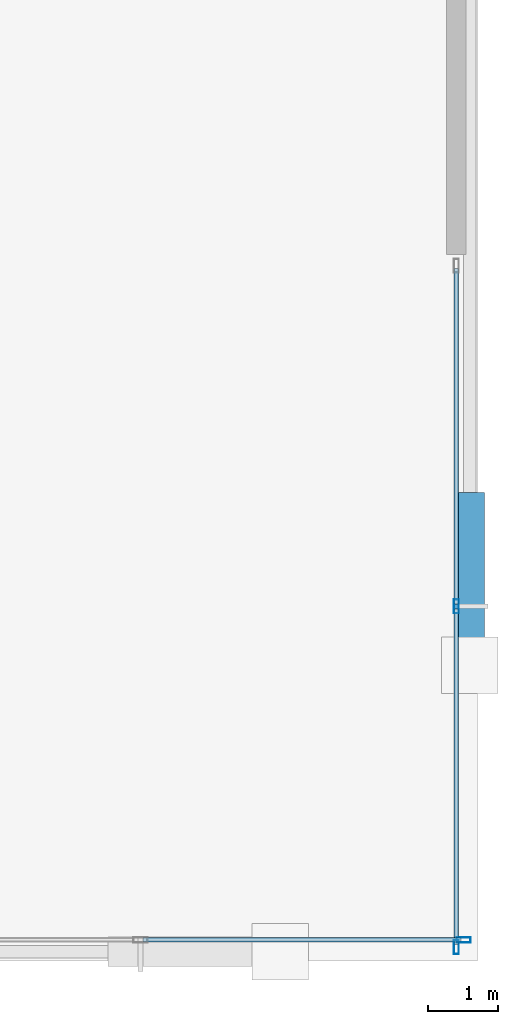
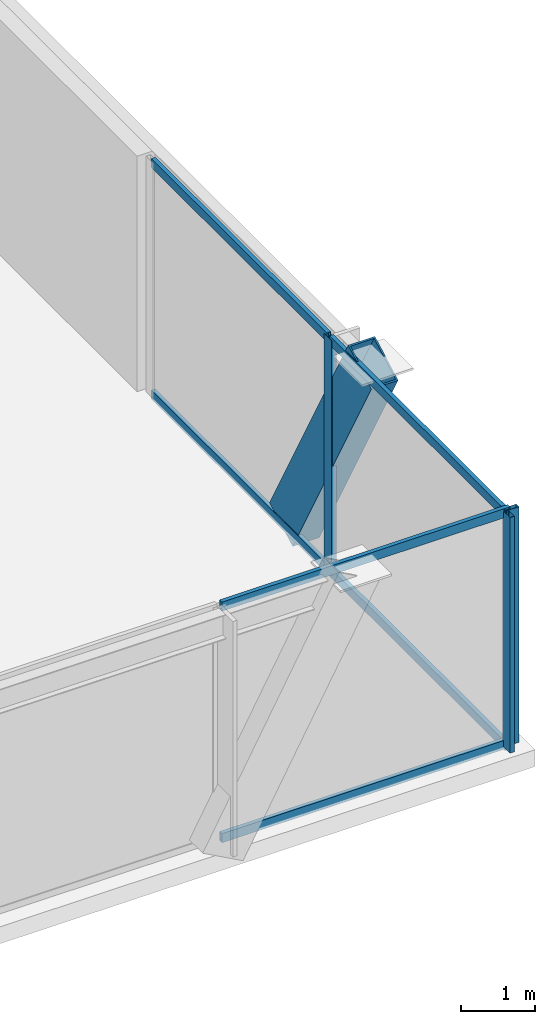
# One storey, part 16 of 46: 10 members, 2 elements without a shape of their own.
"""IFC4 building model written with IfcOpenShell, lengths in metres."""

from ifc_helpers import new_model, si_unit, direction, frame, origin, origin_2d, place, context, subcontext, project, spatial, hollow_rectangle, extrude, material, layer, layer_set, material_profile, profile_set, type_object, element, aggregate, save


model = new_model("IFC4")

# Units and contexts
model_context = context("Model", 3, precision=1e-05, world=origin(), true_north=direction((0.0, 1.0)))
body_context = subcontext(model_context, "Body", "Model", "MODEL_VIEW")
ifc_project = project(units=[si_unit("LENGTHUNIT", "METRE"), si_unit("AREAUNIT", "SQUARE_METRE"), si_unit("VOLUMEUNIT", "CUBIC_METRE"), si_unit("PLANEANGLEUNIT", "RADIAN"), si_unit("MASSUNIT", "GRAM", prefix="KILO")], contexts=[model_context])

# Site, building, storey
site_placement = place(None, origin())
site = spatial("IfcSite", under=ifc_project, at=site_placement, CompositionType="ELEMENT")
building_placement = place(site_placement, origin())
building = spatial("IfcBuilding", under=site, at=building_placement, Name="Orvanel Arch Residences", CompositionType="ELEMENT")
storey_placement = place(building_placement, frame((0.0, 0.0, 14.10009765625)))
storey = spatial("IfcBuildingStorey", under=building, at=storey_placement, Name="L03", CompositionType="ELEMENT", Elevation=14.10009765625)

# Member
ifc_material_1 = material(Name="Structural steel AS/NZS 3678 Grade 350", Category="steel")
ifc_material_profile_1 = material_profile(ifc_material_1, hollow_rectangle(XDim=0.419921875, YDim=0.719970703125, WallThickness=0.02490234375, at=origin_2d()), Name="RHS720x420x25")
ifc_profile_set_1 = profile_set([ifc_material_profile_1], Name="Structural steel AS/NZS 3678 Grade 350")
member_type_1 = type_object("IfcMemberType", Name="BR-720RHS-EXT", PredefinedType="BRACE", material=ifc_profile_set_1)
member_1_placement = place(storey_placement, frame((64.639892578125, 6.783935546875, 0.0), z_axis=(0.0, -0.480032945873, 0.877250460745), x_axis=(1.0, 0.0, 0.0)))
element("IfcMember", 1, at=member_1_placement, inside=storey, type_object=member_type_1, Name="L03 Podium Multi-Storey V-Strut Pair E1 Leg 1", PredefinedType="BRACE", context=body_context, shape_type="SweptSolid", body=[
    extrude(hollow_rectangle(XDim=0.419921875, YDim=0.719970703125, WallThickness=0.02490234375, at=origin_2d()), origin(), (0.0, 0.0, 1.0), 4.445556640625),
])

# Curtain wall, member
ifc_material_2 = material(Name="Bronze-anodised aluminium AA6063-T6", Category="aluminium")
ifc_layer = layer(ifc_material_2, 0.199951171875)
ifc_layer_set = layer_set([ifc_layer], Name="Bronze-anodised aluminium AA6063-T6")
curtain_wall_type = type_object("IfcCurtainWallType", Name="CW1-POD-SYS", PredefinedType="NOTDEFINED", material=ifc_layer_set)
curtain_wall_1_placement = place(storey_placement, origin())
curtain_wall_1 = element("IfcCurtainWall", 2, at=curtain_wall_1_placement, inside=storey, type_object=curtain_wall_type, Name="L03 CW1-POD-SYS Unitised Curtain Wall", PredefinedType="NOTDEFINED")
ifc_material_profile_2 = material_profile(ifc_material_2, hollow_rectangle(XDim=0.074951171875, YDim=0.199951171875, WallThickness=0.0048828125, at=origin_2d()), Name="ALU200x75x5")
ifc_profile_set_2 = profile_set([ifc_material_profile_2], Name="Bronze-anodised aluminium AA6063-T6")
member_type_2 = type_object("IfcMemberType", Name="MUL-200x75", PredefinedType="MULLION", material=ifc_profile_set_2)
member_2_placement = place(storey_placement, frame((64.552490234375, 0.75, 0.0), z_axis=(0.0, 0.0, 1.0), x_axis=(0.0, 1.0, 0.0)))
member_2 = element("IfcMember", 3, at=member_2_placement, type_object=member_type_2, Name="CW-S1 mullion 3", PredefinedType="MULLION", context=body_context, shape_type="SweptSolid", body=[
    extrude(hollow_rectangle(XDim=0.074951171875, YDim=0.199951171875, WallThickness=0.0048828125, at=origin_2d()), origin(), (0.0, 0.0, 1.0), 3.89990234375),
])

# Curtain wall, members
curtain_wall_2_placement = place(storey_placement, origin())
curtain_wall_2 = element("IfcCurtainWall", 4, at=curtain_wall_2_placement, inside=storey, type_object=curtain_wall_type, Name="L03 CW1-POD-SYS Unitised Curtain Wall", PredefinedType="NOTDEFINED")
member_3_placement = place(storey_placement, frame((64.449951171875, 0.6474609375, 0.0), z_axis=(0.0, 0.0, 1.0), x_axis=(-1.0, 0.0, 0.0)))
member_3 = element("IfcMember", 5, at=member_3_placement, type_object=member_type_2, Name="CW-S1 mullion 1", PredefinedType="MULLION", context=body_context, shape_type="SweptSolid", body=[
    extrude(hollow_rectangle(XDim=0.074951171875, YDim=0.199951171875, WallThickness=0.0048828125, at=origin_2d()), origin(), (0.0, 0.0, 1.0), 3.89990234375),
])
member_4_placement = place(storey_placement, frame((64.449951171875, 5.485107421875, 0.0), z_axis=(0.0, 0.0, 1.0), x_axis=(-1.0, 0.0, 0.0)))
member_4 = element("IfcMember", 6, at=member_4_placement, type_object=member_type_2, Name="CW-S1 mullion 2", PredefinedType="MULLION", context=body_context, shape_type="SweptSolid", body=[
    extrude(hollow_rectangle(XDim=0.074951171875, YDim=0.199951171875, WallThickness=0.0048828125, at=origin_2d()), origin(), (0.0, 0.0, 1.0), 3.89990234375),
])

# Member
ifc_material_profile_3 = material_profile(ifc_material_2, hollow_rectangle(XDim=0.06494140625, YDim=0.14990234375, WallThickness=0.00390625, at=origin_2d()), Name="ALU150x65x4")
ifc_profile_set_3 = profile_set([ifc_material_profile_3], Name="Bronze-anodised aluminium AA6063-T6")
member_type_3 = type_object("IfcMemberType", Name="TRN-150x65", PredefinedType="USERDEFINED", material=ifc_profile_set_3)
member_5_placement = place(storey_placement, frame((60.00244140625, 0.75, 0.032470703125), z_axis=(1.0, 0.0, 0.0), x_axis=(0.0, 1.0, 0.0)))
member_5 = element("IfcMember", 7, at=member_5_placement, type_object=member_type_3, Name="CW-S1 transom 2.1", ObjectType="TRANSOM", PredefinedType="USERDEFINED", context=body_context, shape_type="SweptSolid", body=[
    extrude(hollow_rectangle(XDim=0.06494140625, YDim=0.14990234375, WallThickness=0.00390625, at=origin_2d()), origin(), (0.0, 0.0, 1.0), 4.512451171875),
])

member_6_placement = place(storey_placement, frame((60.00244140625, 0.75, 3.867431640625), z_axis=(1.0, 0.0, 0.0), x_axis=(0.0, 1.0, 0.0)))
member_6 = element("IfcMember", 8, at=member_6_placement, type_object=member_type_3, Name="CW-S1 transom 2.2", ObjectType="TRANSOM", PredefinedType="USERDEFINED", context=body_context, shape_type="SweptSolid", body=[
    extrude(hollow_rectangle(XDim=0.06494140625, YDim=0.14990234375, WallThickness=0.00390625, at=origin_2d()), origin(), (0.0, 0.0, 1.0), 4.512451171875),
])

aggregate(curtain_wall_1, [member_2, member_5, member_6])

member_7_placement = place(storey_placement, frame((64.449951171875, 0.68505859375, 0.032470703125), z_axis=(0.0, 1.0, 0.0), x_axis=(-1.0, 0.0, 0.0)))
member_7 = element("IfcMember", 9, at=member_7_placement, type_object=member_type_3, Name="CW-S1 transom 1.1", ObjectType="TRANSOM", PredefinedType="USERDEFINED", context=body_context, shape_type="SweptSolid", body=[
    extrude(hollow_rectangle(XDim=0.06494140625, YDim=0.14990234375, WallThickness=0.00390625, at=origin_2d()), origin(), (0.0, 0.0, 1.0), 4.762451171875),
])

member_8_placement = place(storey_placement, frame((64.449951171875, 0.68505859375, 3.867431640625), z_axis=(0.0, 1.0, 0.0), x_axis=(-1.0, 0.0, 0.0)))
member_8 = element("IfcMember", 10, at=member_8_placement, type_object=member_type_3, Name="CW-S1 transom 1.2", ObjectType="TRANSOM", PredefinedType="USERDEFINED", context=body_context, shape_type="SweptSolid", body=[
    extrude(hollow_rectangle(XDim=0.06494140625, YDim=0.14990234375, WallThickness=0.00390625, at=origin_2d()), origin(), (0.0, 0.0, 1.0), 4.762451171875),
])

member_9_placement = place(storey_placement, frame((64.449951171875, 5.5224609375, 0.032470703125), z_axis=(0.0, 1.0, 0.0), x_axis=(-1.0, 0.0, 0.0)))
member_9 = element("IfcMember", 11, at=member_9_placement, type_object=member_type_3, Name="CW-S1 transom 2.1", ObjectType="TRANSOM", PredefinedType="USERDEFINED", context=body_context, shape_type="SweptSolid", body=[
    extrude(hollow_rectangle(XDim=0.06494140625, YDim=0.14990234375, WallThickness=0.00390625, at=origin_2d()), origin(), (0.0, 0.0, 1.0), 4.762451171875),
])

member_10_placement = place(storey_placement, frame((64.449951171875, 5.5224609375, 3.867431640625), z_axis=(0.0, 1.0, 0.0), x_axis=(-1.0, 0.0, 0.0)))
member_10 = element("IfcMember", 12, at=member_10_placement, type_object=member_type_3, Name="CW-S1 transom 2.2", ObjectType="TRANSOM", PredefinedType="USERDEFINED", context=body_context, shape_type="SweptSolid", body=[
    extrude(hollow_rectangle(XDim=0.06494140625, YDim=0.14990234375, WallThickness=0.00390625, at=origin_2d()), origin(), (0.0, 0.0, 1.0), 4.762451171875),
])

aggregate(curtain_wall_2, [member_3, member_4, member_7, member_8, member_9, member_10])

save(model, "model.ifc")
